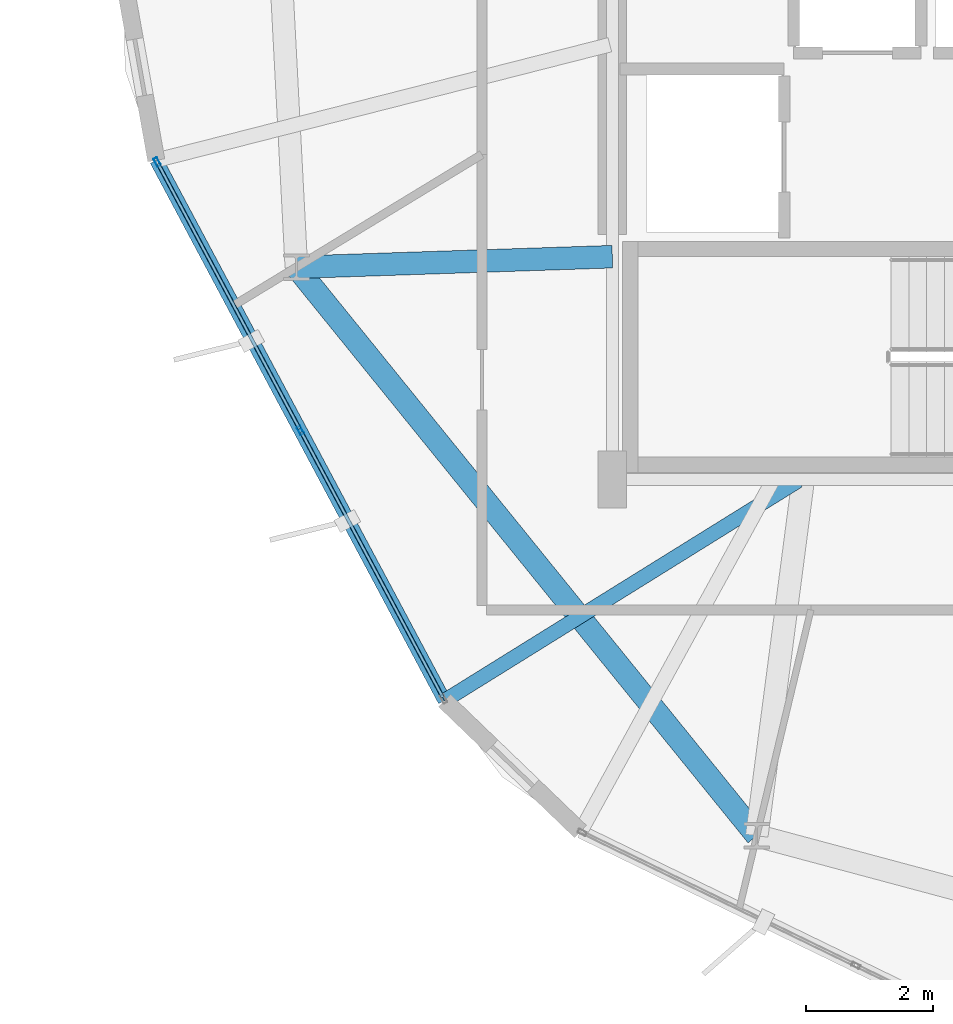
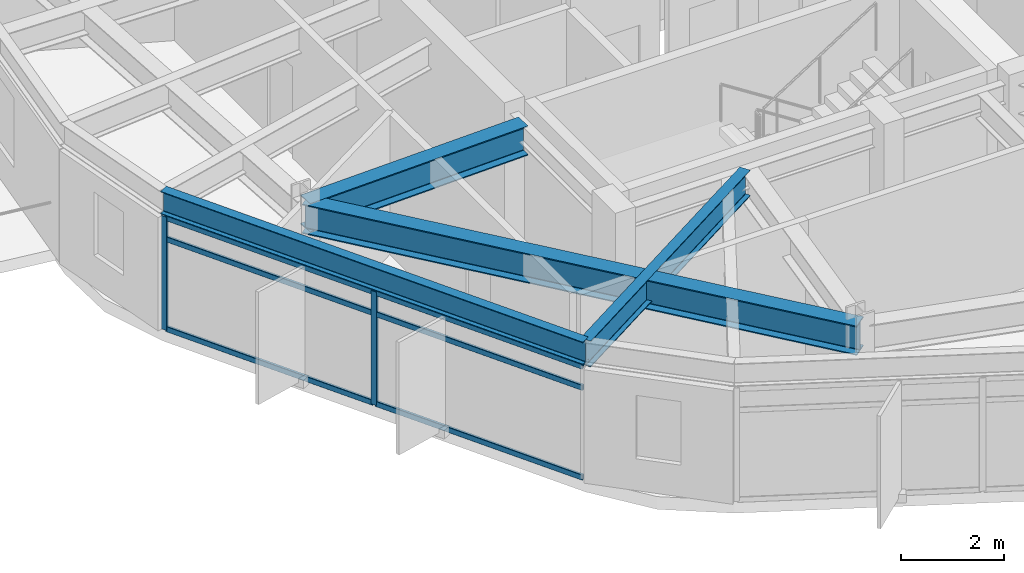
# One storey, part 3 of 28: 8 members, 4 beams, 1 element without a shape of its own.
"""IFC4 building model written with IfcOpenShell, lengths in metres."""

from ifc_helpers import new_model, si_unit, direction, frame, origin, origin_2d, place, context, subcontext, project, spatial, hollow_rectangle, i_section, extrude, material, layer, layer_set, material_profile, profile_set, type_object, element, aggregate, save


model = new_model("IFC4")

# Units and contexts
model_context = context("Model", 3, precision=1e-05, world=origin(), true_north=direction((0.0, 1.0)))
body_context = subcontext(model_context, "Body", "Model", "MODEL_VIEW")
ifc_project = project(units=[si_unit("LENGTHUNIT", "METRE"), si_unit("AREAUNIT", "SQUARE_METRE"), si_unit("VOLUMEUNIT", "CUBIC_METRE"), si_unit("PLANEANGLEUNIT", "RADIAN"), si_unit("MASSUNIT", "GRAM", prefix="KILO")], contexts=[model_context])

# Site, building, storey
site_placement = place(None, origin())
site = spatial("IfcSite", under=ifc_project, at=site_placement, CompositionType="ELEMENT")
building_placement = place(site_placement, origin())
building = spatial("IfcBuilding", under=site, at=building_placement, Name="Soratama Intermodal Tower", CompositionType="ELEMENT")
storey_placement = place(building_placement, frame((0.0, 0.0, 205.0)))
storey = spatial("IfcBuildingStorey", under=building, at=storey_placement, Name="L51", CompositionType="ELEMENT", Elevation=205.0)

# Beams
ifc_material_1 = material(Name="Structural steel ASTM A992 Grade 50", Category="steel")
ifc_material_profile_1 = material_profile(ifc_material_1, i_section(OverallWidth=0.35498046875, OverallDepth=0.695068359375, WebThickness=0.015380859375, FlangeThickness=0.02490234375, FilletRadius=0.01611328125, at=origin_2d()), Name="W27X146")
ifc_profile_set_1 = profile_set([ifc_material_profile_1], Name="Structural steel ASTM A992 Grade 50")
beam_type_1 = type_object("IfcBeamType", Name="BM-RING-W27X146", PredefinedType="BEAM", material=ifc_profile_set_1)
beam_1_placement = place(storey_placement, frame((27.635009765625, 18.333984375, 2.952392578125), z_axis=(0.629384551156, -0.777094001242, 0.0), x_axis=(0.777094001242, 0.629384551156, 0.0)))
element("IfcBeam", 1, at=beam_1_placement, inside=storey, type_object=beam_type_1, Name="BM-L51-RING-06", PredefinedType="BEAM", context=body_context, shape_type="SweptSolid", body=[
    extrude(i_section(OverallWidth=0.35498046875, OverallDepth=0.695068359375, WebThickness=0.015380859375, FlangeThickness=0.02490234375, FilletRadius=0.01611328125, at=origin_2d()), origin(), (0.0, 0.0, 1.0), 11.49560546875),
])
beam_2_placement = place(storey_placement, frame((32.60009765625, 18.5, 2.952392578125), z_axis=(-0.999441465401, -0.033417917907, 0.0), x_axis=(0.033417917907, -0.999441465401, 0.0)))
element("IfcBeam", 2, at=beam_2_placement, inside=storey, type_object=beam_type_1, Name="BM-L51-RAD-06", PredefinedType="BEAM", context=body_context, shape_type="SweptSolid", body=[
    extrude(i_section(OverallWidth=0.35498046875, OverallDepth=0.695068359375, WebThickness=0.015380859375, FlangeThickness=0.02490234375, FilletRadius=0.01611328125, at=origin_2d()), origin(), (0.0, 0.0, 1.0), 4.9677734375),
])
ifc_material_2 = material(Name="Structural steel ASTM A992 Grade 50", Category="steel")
ifc_material_profile_2 = material_profile(ifc_material_2, i_section(OverallWidth=0.2099609375, OverallDepth=0.537109375, WebThickness=0.010986328125, FlangeThickness=0.017333984375, FilletRadius=0.012939453125, at=origin_2d()), Name="W21X68")
ifc_profile_set_2 = profile_set([ifc_material_profile_2], Name="Structural steel ASTM A992 Grade 50")
beam_type_2 = type_object("IfcBeamType", Name="BM-SPN-W21X68", PredefinedType="SPANDREL", material=ifc_profile_set_2)
beam_3_placement = place(storey_placement, frame((25.43310546875, 20.014892578125, 3.031494140625), z_axis=(0.470690935856, -0.882298159866, 0.0), x_axis=(0.882298159866, 0.470690935856, 0.0)))
element("IfcBeam", 3, at=beam_3_placement, inside=storey, type_object=beam_type_2, Name="BS-L51-F05", PredefinedType="SPANDREL", context=body_context, shape_type="SweptSolid", body=[
    extrude(i_section(OverallWidth=0.2099609375, OverallDepth=0.537109375, WebThickness=0.010986328125, FlangeThickness=0.017333984375, FilletRadius=0.012939453125, at=origin_2d()), origin(), (0.0, 0.0, 1.0), 9.623779296875),
])
ifc_material_3 = material(Name="Structural steel ASTM A992 Grade 50", Category="steel")
ifc_material_profile_3 = material_profile(ifc_material_3, i_section(OverallWidth=0.22900390625, OverallDepth=0.612060546875, WebThickness=0.011962890625, FlangeThickness=0.01953125, FilletRadius=0.012939453125, at=origin_2d()), Name="W24X84")
ifc_profile_set_3 = profile_set([ifc_material_profile_3], Name="Structural steel ASTM A992 Grade 50")
beam_type_3 = type_object("IfcBeamType", Name="BM-TIE-W24X84", PredefinedType="BEAM", material=ifc_profile_set_3)
beam_4_placement = place(storey_placement, frame((35.52099609375, 14.97900390625, 2.993896484375), z_axis=(-0.849282612911, -0.527938484491, 0.0), x_axis=(0.527938484491, -0.849282612911, 0.0)))
element("IfcBeam", 4, at=beam_4_placement, inside=storey, type_object=beam_type_3, Name="BM-L51-TIE1-05", PredefinedType="BEAM", context=body_context, shape_type="SweptSolid", body=[
    extrude(i_section(OverallWidth=0.22900390625, OverallDepth=0.612060546875, WebThickness=0.011962890625, FlangeThickness=0.01953125, FilletRadius=0.012939453125, at=origin_2d()), origin(), (0.0, 0.0, 1.0), 6.54443359375),
])

# Curtain wall, members
ifc_material_4 = material(Name="Double-glazed aluminium curtain wall", Category="aluminium")
ifc_layer = layer(ifc_material_4, 0.159912109375)
ifc_layer_set = layer_set([ifc_layer], Name="Double-glazed aluminium curtain wall")
curtain_wall_type = type_object("IfcCurtainWallType", Name="CW-SYS-5", PredefinedType="NOTDEFINED", material=ifc_layer_set)
curtain_wall_placement = place(storey_placement, origin())
curtain_wall = element("IfcCurtainWall", 5, at=curtain_wall_placement, inside=storey, type_object=curtain_wall_type, Name="L51 Faceted Curtain Wall F05", PredefinedType="NOTDEFINED")
ifc_material_5 = material(Name="Anodised aluminium AA 6063-T6", Category="aluminium")
ifc_material_profile_4 = material_profile(ifc_material_5, hollow_rectangle(XDim=0.06494140625, YDim=0.139892578125, WallThickness=0.0048828125, InnerFilletRadius=0.0048828125, OuterFilletRadius=0.010009765625, at=origin_2d()), Name="CWM140X65X5")
ifc_profile_set_4 = profile_set([ifc_material_profile_4], Name="Anodised aluminium AA 6063-T6")
member_type_1 = type_object("IfcMemberType", Name="MT-CWM-5", PredefinedType="MULLION", material=ifc_profile_set_4)
member_1_placement = place(storey_placement, frame((25.447509765625, 19.988525390625, 0.0), z_axis=(0.0, 0.0, 1.0), x_axis=(0.882289942268, 0.47070633921, 0.0)))
member_1 = element("IfcMember", 6, at=member_1_placement, type_object=member_type_1, Name="CW-5 mullion 1", PredefinedType="MULLION", context=body_context, shape_type="SweptSolid", body=[
    extrude(hollow_rectangle(XDim=0.06494140625, YDim=0.139892578125, WallThickness=0.0048828125, InnerFilletRadius=0.0048828125, OuterFilletRadius=0.010009765625, at=origin_2d()), origin(), (0.0, 0.0, 1.0), 2.678955078125),
])
member_2_placement = place(storey_placement, frame((27.6982421875, 15.76953125, 0.0), z_axis=(0.0, 0.0, 1.0), x_axis=(0.882289942268, 0.47070633921, 0.0)))
member_2 = element("IfcMember", 7, at=member_2_placement, type_object=member_type_1, Name="CW-5 mullion 2", PredefinedType="MULLION", context=body_context, shape_type="SweptSolid", body=[
    extrude(hollow_rectangle(XDim=0.06494140625, YDim=0.139892578125, WallThickness=0.0048828125, InnerFilletRadius=0.0048828125, OuterFilletRadius=0.010009765625, at=origin_2d()), origin(), (0.0, 0.0, 1.0), 2.678955078125),
])
ifc_material_6 = material(Name="Anodised aluminium AA 6063-T6", Category="aluminium")
ifc_material_profile_5 = material_profile(ifc_material_6, hollow_rectangle(XDim=0.06005859375, YDim=0.1298828125, WallThickness=0.0048828125, InnerFilletRadius=0.0048828125, OuterFilletRadius=0.010009765625, at=origin_2d()), Name="CWT130X60X5")
ifc_profile_set_5 = profile_set([ifc_material_profile_5], Name="Anodised aluminium AA 6063-T6")
member_type_2 = type_object("IfcMemberType", Name="TT-CWT-2", PredefinedType="USERDEFINED", material=ifc_profile_set_5)
member_3_placement = place(storey_placement, frame((25.46142578125, 19.962158203125, 0.030029296875), z_axis=(0.47073581751, -0.882274214807, 0.0), x_axis=(0.882274214807, 0.47073581751, 0.0)))
member_3 = element("IfcMember", 8, at=member_3_placement, type_object=member_type_2, Name="CW-5 transom 1.1", ObjectType="TRANSOM", PredefinedType="USERDEFINED", context=body_context, shape_type="SweptSolid", body=[
    extrude(hollow_rectangle(XDim=0.06005859375, YDim=0.1298828125, WallThickness=0.0048828125, InnerFilletRadius=0.0048828125, OuterFilletRadius=0.010009765625, at=origin_2d()), origin(), (0.0, 0.0, 1.0), 4.72216796875),
])
member_4_placement = place(storey_placement, frame((25.46142578125, 19.962158203125, 2.14990234375), z_axis=(0.47073581751, -0.882274214807, 0.0), x_axis=(0.882274214807, 0.47073581751, 0.0)))
member_4 = element("IfcMember", 9, at=member_4_placement, type_object=member_type_2, Name="CW-5 transom 1.2", ObjectType="TRANSOM", PredefinedType="USERDEFINED", context=body_context, shape_type="SweptSolid", body=[
    extrude(hollow_rectangle(XDim=0.06005859375, YDim=0.1298828125, WallThickness=0.0048828125, InnerFilletRadius=0.0048828125, OuterFilletRadius=0.010009765625, at=origin_2d()), origin(), (0.0, 0.0, 1.0), 4.72216796875),
])
member_5_placement = place(storey_placement, frame((25.46142578125, 19.962158203125, 2.64892578125), z_axis=(0.47073581751, -0.882274214807, 0.0), x_axis=(0.882274214807, 0.47073581751, 0.0)))
member_5 = element("IfcMember", 10, at=member_5_placement, type_object=member_type_2, Name="CW-5 transom 1.3", ObjectType="TRANSOM", PredefinedType="USERDEFINED", context=body_context, shape_type="SweptSolid", body=[
    extrude(hollow_rectangle(XDim=0.06005859375, YDim=0.1298828125, WallThickness=0.0048828125, InnerFilletRadius=0.0048828125, OuterFilletRadius=0.010009765625, at=origin_2d()), origin(), (0.0, 0.0, 1.0), 4.72216796875),
])
member_6_placement = place(storey_placement, frame((27.71240234375, 15.742919921875, 0.030029296875), z_axis=(0.47071704406, -0.882284231091, 0.0), x_axis=(0.882284231091, 0.47071704406, 0.0)))
member_6 = element("IfcMember", 11, at=member_6_placement, type_object=member_type_2, Name="CW-5 transom 2.1", ObjectType="TRANSOM", PredefinedType="USERDEFINED", context=body_context, shape_type="SweptSolid", body=[
    extrude(hollow_rectangle(XDim=0.06005859375, YDim=0.1298828125, WallThickness=0.0048828125, InnerFilletRadius=0.0048828125, OuterFilletRadius=0.010009765625, at=origin_2d()), origin(), (0.0, 0.0, 1.0), 4.721923828125),
])
member_7_placement = place(storey_placement, frame((27.71240234375, 15.742919921875, 2.14990234375), z_axis=(0.47071704406, -0.882284231091, 0.0), x_axis=(0.882284231091, 0.47071704406, 0.0)))
member_7 = element("IfcMember", 12, at=member_7_placement, type_object=member_type_2, Name="CW-5 transom 2.2", ObjectType="TRANSOM", PredefinedType="USERDEFINED", context=body_context, shape_type="SweptSolid", body=[
    extrude(hollow_rectangle(XDim=0.06005859375, YDim=0.1298828125, WallThickness=0.0048828125, InnerFilletRadius=0.0048828125, OuterFilletRadius=0.010009765625, at=origin_2d()), origin(), (0.0, 0.0, 1.0), 4.721923828125),
])
member_8_placement = place(storey_placement, frame((27.71240234375, 15.742919921875, 2.64892578125), z_axis=(0.47071704406, -0.882284231091, 0.0), x_axis=(0.882284231091, 0.47071704406, 0.0)))
member_8 = element("IfcMember", 13, at=member_8_placement, type_object=member_type_2, Name="CW-5 transom 2.3", ObjectType="TRANSOM", PredefinedType="USERDEFINED", context=body_context, shape_type="SweptSolid", body=[
    extrude(hollow_rectangle(XDim=0.06005859375, YDim=0.1298828125, WallThickness=0.0048828125, InnerFilletRadius=0.0048828125, OuterFilletRadius=0.010009765625, at=origin_2d()), origin(), (0.0, 0.0, 1.0), 4.721923828125),
])
aggregate(curtain_wall, [member_1, member_2, member_3, member_4, member_5, member_6, member_7, member_8])

save(model, "model.ifc")
